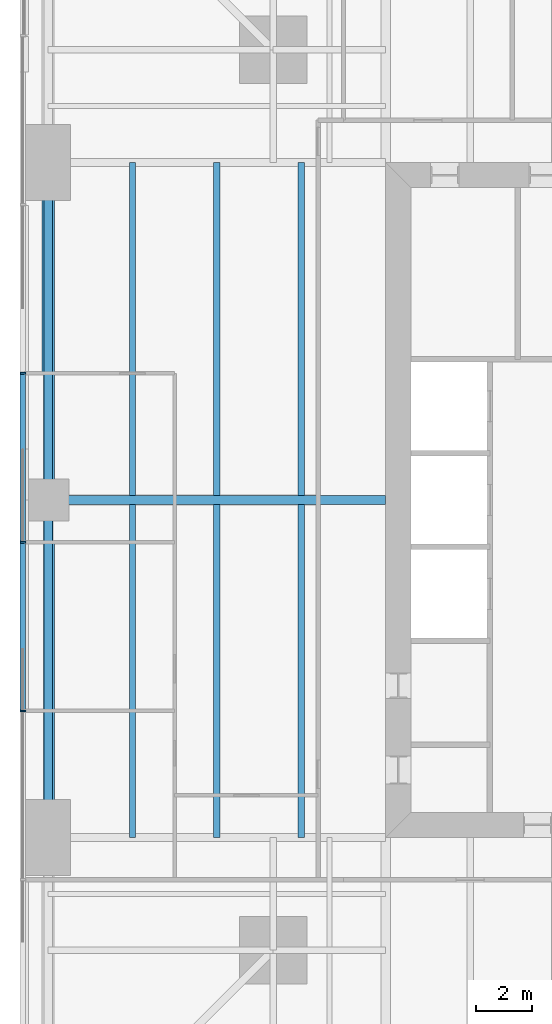
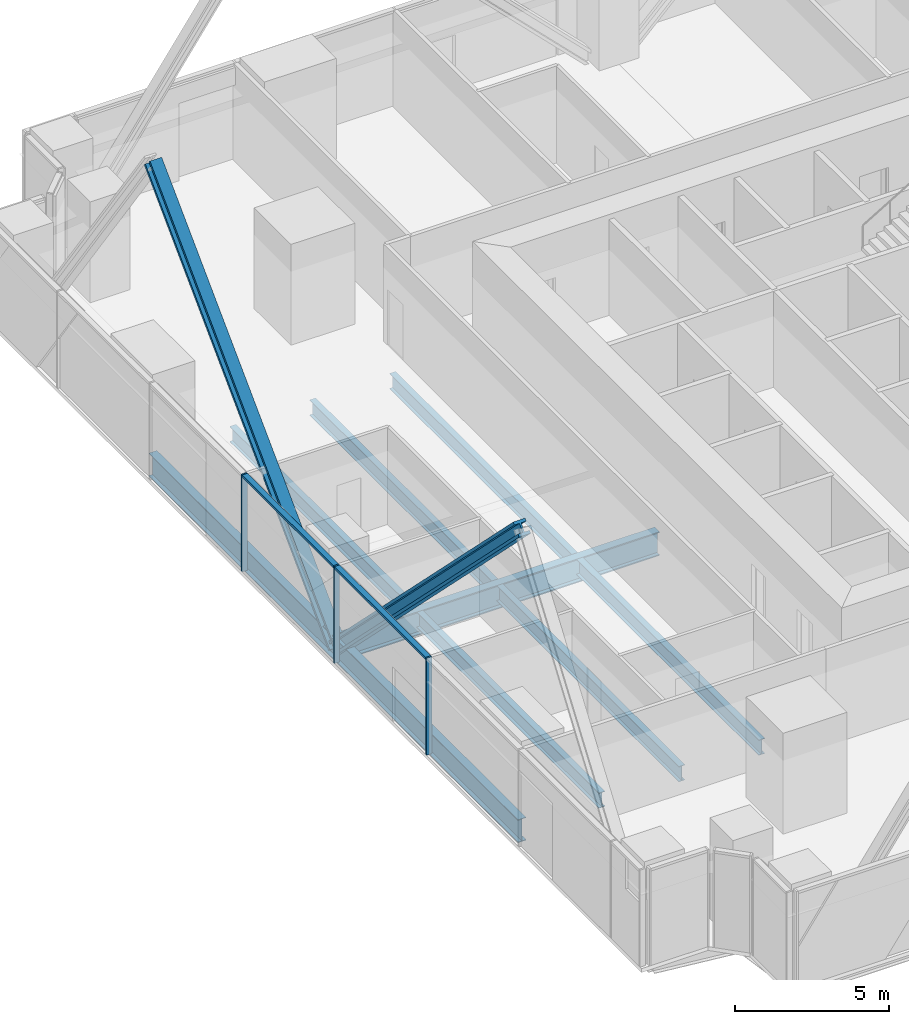
# One storey, part 4 of 13: 9 beams, 7 members, 1 element without a shape of its own.
"""IFC4 building model written with IfcOpenShell, lengths in metres."""

from ifc_helpers import new_model, si_unit, direction, frame, origin, origin_2d, place, context, subcontext, project, spatial, rectangle, i_section, extrude, material, material_profile, profile_set, type_object, element, aggregate, save


model = new_model("IFC4")

# Units and contexts
model_context = context("Model", 3, precision=1e-05, world=origin(), true_north=direction((0.0, 1.0)))
body_context = subcontext(model_context, "Body", "Model", "MODEL_VIEW")
ifc_project = project(units=[si_unit("LENGTHUNIT", "METRE"), si_unit("AREAUNIT", "SQUARE_METRE"), si_unit("VOLUMEUNIT", "CUBIC_METRE"), si_unit("PLANEANGLEUNIT", "RADIAN"), si_unit("MASSUNIT", "GRAM", prefix="KILO")], contexts=[model_context])

# Site, building, storey
site_placement = place(None, origin())
site = spatial("IfcSite", under=ifc_project, at=site_placement, CompositionType="ELEMENT")
building_placement = place(site_placement, origin())
building = spatial("IfcBuilding", under=site, at=building_placement, Name="Fenwick Lantern Interchange", CompositionType="ELEMENT")
storey_placement = place(building_placement, frame((0.0, 0.0, 43.0)))
storey = spatial("IfcBuildingStorey", under=building, at=storey_placement, Name="L09", CompositionType="ELEMENT", Elevation=43.0)

# Beams
ifc_material_1 = material(Name="Steel ASTM A992 Grade 50", Category="steel")
ifc_material_profile_1 = material_profile(ifc_material_1, i_section(OverallWidth=0.3046875, OverallDepth=0.911865234375, WebThickness=0.015869140625, FlangeThickness=0.02392578125, at=origin_2d()), Name="W36X150")
ifc_profile_set_1 = profile_set([ifc_material_profile_1], Name="Steel ASTM A992 Grade 50")
beam_type_1 = type_object("IfcBeamType", Name="EDGE BEAM W36X150", PredefinedType="SPANDREL", material=ifc_profile_set_1)
for number, where, z_axis, x_axis, name in (
    (1, (1.0, 37.0, -0.60595703125), (0.0, -1.0, 0.0), (1.0, 0.0, 0.0), "L09/FR/W/EB2"),
    (2, (1.0, 25.0, -0.60595703125), (0.0, -1.0, 0.0), (1.0, 0.0, 0.0), "L09/FR/W/EB3"),
):
    element("IfcBeam", number, at=place(storey_placement, frame(where, z_axis=z_axis, x_axis=x_axis)), inside=storey, type_object=beam_type_1, Name=name, PredefinedType="SPANDREL", context=body_context, shape_type="SweptSolid", body=[
        extrude(i_section(OverallWidth=0.3046875, OverallDepth=0.911865234375, WebThickness=0.015869140625, FlangeThickness=0.02392578125, at=origin_2d()), origin(), (0.0, 0.0, 1.0), 12.0),
    ])

# Members
ifc_material_profile_2 = material_profile(ifc_material_1, i_section(OverallWidth=0.44189453125, OverallDepth=0.53076171875, WebThickness=0.06591796875, FlangeThickness=0.105712890625, at=origin_2d()), Name="W14X605")
ifc_profile_set_2 = profile_set([ifc_material_profile_2], Name="Steel ASTM A992 Grade 50")
member_type_1 = type_object("IfcMemberType", Name="FACADE BRACE W14X605", PredefinedType="BRACE", material=ifc_profile_set_2)
for number, where, z_axis, x_axis, name in (
    (3, (1.0, 25.0, -0.60595703125), (0.0, 0.707106781187, 0.707106781187), (-1.0, 0.0, 0.0), "L09/FB/W/A"),
    (4, (1.0, 25.0, -0.60595703125), (0.0, -0.707106781187, 0.707106781187), (1.0, 0.0, 0.0), "L09/FB/W/B"),
):
    element("IfcMember", number, at=place(storey_placement, frame(where, z_axis=z_axis, x_axis=x_axis)), inside=storey, type_object=member_type_1, Name=name, PredefinedType="BRACE", context=body_context, shape_type="SweptSolid", body=[
        extrude(i_section(OverallWidth=0.44189453125, OverallDepth=0.53076171875, WebThickness=0.06591796875, FlangeThickness=0.105712890625, at=origin_2d()), origin(), (0.0, 0.0, 1.0), 16.970458984375),
    ])

# Beams
ifc_material_profile_3 = material_profile(ifc_material_1, i_section(OverallWidth=0.22900390625, OverallDepth=0.612060546875, WebThickness=0.011962890625, FlangeThickness=0.01953125, at=origin_2d()), Name="W24X84")
ifc_profile_set_3 = profile_set([ifc_material_profile_3], Name="Steel ASTM A992 Grade 50")
beam_type_2 = type_object("IfcBeamType", Name="FLOOR BEAM W24X84", PredefinedType="BEAM", material=ifc_profile_set_3)
for number, where, z_axis, x_axis, name in (
    (5, (4.0, 37.0, -0.4560546875), (0.0, -1.0, 0.0), (1.0, 0.0, 0.0), "L09/FR/W/B01"),
    (6, (7.0, 37.0, -0.4560546875), (0.0, -1.0, 0.0), (1.0, 0.0, 0.0), "L09/FR/W/B02"),
    (7, (10.0, 37.0, -0.4560546875), (0.0, -1.0, 0.0), (1.0, 0.0, 0.0), "L09/FR/W/B03"),
    (8, (4.0, 24.844970703125, -0.4560546875), (0.0, -1.0, 0.0), (1.0, 0.0, 0.0), "L09/FR/W/B04"),
    (9, (7.0, 24.844970703125, -0.4560546875), (0.0, -1.0, 0.0), (1.0, 0.0, 0.0), "L09/FR/W/B05"),
    (10, (10.0, 24.844970703125, -0.4560546875), (0.0, -1.0, 0.0), (1.0, 0.0, 0.0), "L09/FR/W/B06"),
):
    element("IfcBeam", number, at=place(storey_placement, frame(where, z_axis=z_axis, x_axis=x_axis)), inside=storey, type_object=beam_type_2, Name=name, PredefinedType="BEAM", context=body_context, shape_type="SweptSolid", body=[
        extrude(i_section(OverallWidth=0.22900390625, OverallDepth=0.612060546875, WebThickness=0.011962890625, FlangeThickness=0.01953125, at=origin_2d()), origin(), (0.0, 0.0, 1.0), 11.844970703125),
    ])
ifc_material_profile_4 = material_profile(ifc_material_1, i_section(OverallWidth=0.309814453125, OverallDepth=0.949951171875, WebThickness=0.0244140625, FlangeThickness=0.0439453125, at=origin_2d()), Name="W36X256")
ifc_profile_set_4 = profile_set([ifc_material_profile_4], Name="Steel ASTM A992 Grade 50")
beam_type_3 = type_object("IfcBeamType", Name="MOMENT-CONNECTED GIRDER W36X256", PredefinedType="BEAM", material=ifc_profile_set_4)
beam_placement = place(storey_placement, frame((1.0, 25.0, -0.625), z_axis=(1.0, 0.0, 0.0), x_axis=(0.0, 1.0, 0.0)))
element("IfcBeam", 11, at=beam_placement, inside=storey, type_object=beam_type_3, Name="L09/FR/W/R02", PredefinedType="BEAM", context=body_context, shape_type="SweptSolid", body=[
    extrude(i_section(OverallWidth=0.309814453125, OverallDepth=0.949951171875, WebThickness=0.0244140625, FlangeThickness=0.0439453125, at=origin_2d()), origin(), (0.0, 0.0, 1.0), 12.0),
])

# Curtain wall, members
ifc_material_2 = material(Name="Aluminium curtain wall frame", Category="aluminium")
curtain_wall_type = type_object("IfcCurtainWallType", Name="OFFICE CURTAIN WALL", PredefinedType="USERDEFINED", material=ifc_material_2)
curtain_wall_placement = place(storey_placement, origin())
curtain_wall = element("IfcCurtainWall", 12, at=curtain_wall_placement, inside=storey, type_object=curtain_wall_type, Name="Office curtain wall 13", ObjectType="OFFICE CURTAIN WALL", PredefinedType="USERDEFINED")
ifc_material_3 = material(Name="Aluminium extrusion", Category="aluminium")
ifc_material_profile_5 = material_profile(ifc_material_3, rectangle(XDim=0.199951171875, YDim=0.06494140625, at=origin_2d()), Name="OFFICE CURTAIN WALL MULLION 65 X 200")
ifc_profile_set_5 = profile_set([ifc_material_profile_5], Name="Aluminium extrusion")
member_type_2 = type_object("IfcMemberType", Name="OFFICE CURTAIN WALL MULLION 65 X 200", PredefinedType="MULLION", material=ifc_profile_set_5)
member_1_placement = place(storey_placement, frame((0.10009765625, 29.5, 0.0), z_axis=(0.0, 0.0, 1.0), x_axis=(1.0, 0.0, 0.0)))
member_1 = element("IfcMember", 13, at=member_1_placement, type_object=member_type_2, Name="L09/CW/13/M03", PredefinedType="MULLION", context=body_context, shape_type="SweptSolid", body=[
    extrude(rectangle(XDim=0.199951171875, YDim=0.06494140625, at=origin_2d()), origin(), (0.0, 0.0, 1.0), 3.85009765625),
])
member_2_placement = place(storey_placement, frame((0.10009765625, 23.5, 0.0), z_axis=(0.0, 0.0, 1.0), x_axis=(1.0, 0.0, 0.0)))
member_2 = element("IfcMember", 14, at=member_2_placement, type_object=member_type_2, Name="L09/CW/13/M04", PredefinedType="MULLION", context=body_context, shape_type="SweptSolid", body=[
    extrude(rectangle(XDim=0.199951171875, YDim=0.06494140625, at=origin_2d()), origin(), (0.0, 0.0, 1.0), 3.85009765625),
])
member_3_placement = place(storey_placement, frame((0.10009765625, 17.5, 0.0), z_axis=(0.0, 0.0, 1.0), x_axis=(1.0, 0.0, 0.0)))
member_3 = element("IfcMember", 15, at=member_3_placement, type_object=member_type_2, Name="L09/CW/13/M05", PredefinedType="MULLION", context=body_context, shape_type="SweptSolid", body=[
    extrude(rectangle(XDim=0.199951171875, YDim=0.06494140625, at=origin_2d()), origin(), (0.0, 0.0, 1.0), 3.85009765625),
])
ifc_material_profile_6 = material_profile(ifc_material_3, rectangle(XDim=0.199951171875, YDim=0.10009765625, at=origin_2d()), Name="OFFICE CURTAIN WALL TRANSOM 100 X 200")
ifc_profile_set_6 = profile_set([ifc_material_profile_6], Name="Aluminium extrusion")
member_type_3 = type_object("IfcMemberType", Name="OFFICE CURTAIN WALL TRANSOM 100 X 200", PredefinedType="MULLION", material=ifc_profile_set_6)
member_4_placement = place(storey_placement, frame((0.10009765625, 29.467529296875, 3.800048828125), z_axis=(0.0, -1.0, 0.0), x_axis=(1.0, 0.0, 0.0)))
member_4 = element("IfcMember", 16, at=member_4_placement, type_object=member_type_3, Name="L09/CW/13/T03", PredefinedType="MULLION", context=body_context, shape_type="SweptSolid", body=[
    extrude(rectangle(XDim=0.199951171875, YDim=0.10009765625, at=origin_2d()), origin(), (0.0, 0.0, 1.0), 5.93505859375),
])
member_5_placement = place(storey_placement, frame((0.10009765625, 23.467529296875, 3.800048828125), z_axis=(0.0, -1.0, 0.0), x_axis=(1.0, 0.0, 0.0)))
member_5 = element("IfcMember", 17, at=member_5_placement, type_object=member_type_3, Name="L09/CW/13/T04", PredefinedType="MULLION", context=body_context, shape_type="SweptSolid", body=[
    extrude(rectangle(XDim=0.199951171875, YDim=0.10009765625, at=origin_2d()), origin(), (0.0, 0.0, 1.0), 5.93505859375),
])
aggregate(curtain_wall, [member_1, member_2, member_3, member_4, member_5])

save(model, "model.ifc")
